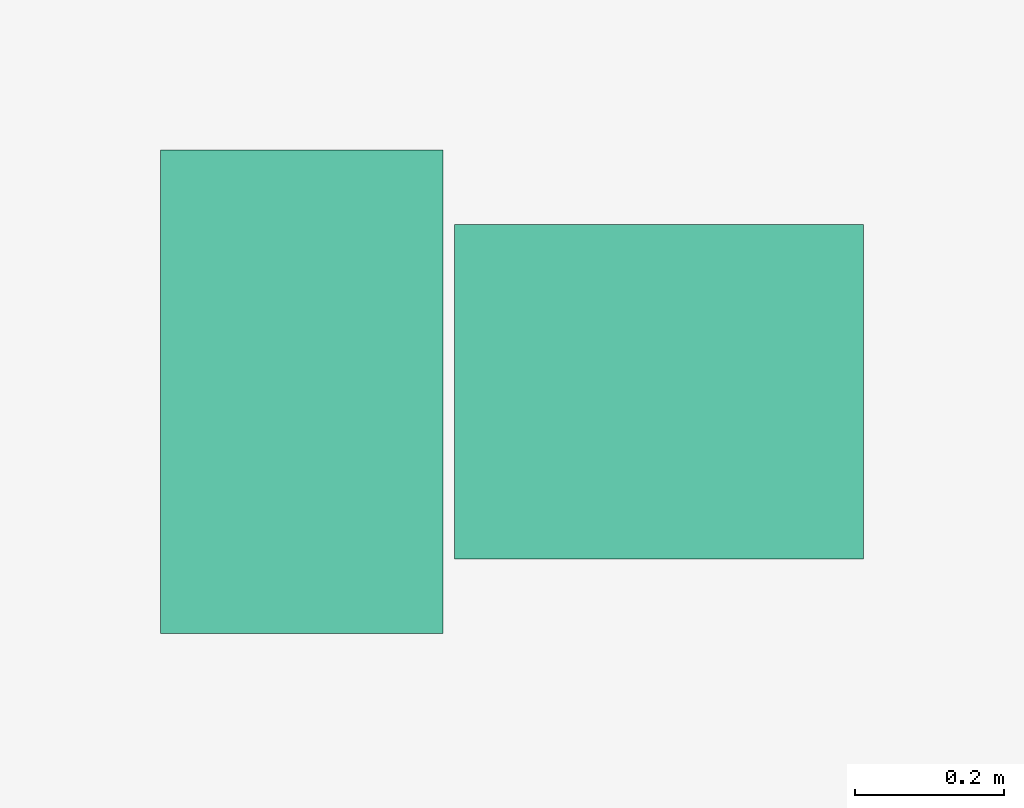
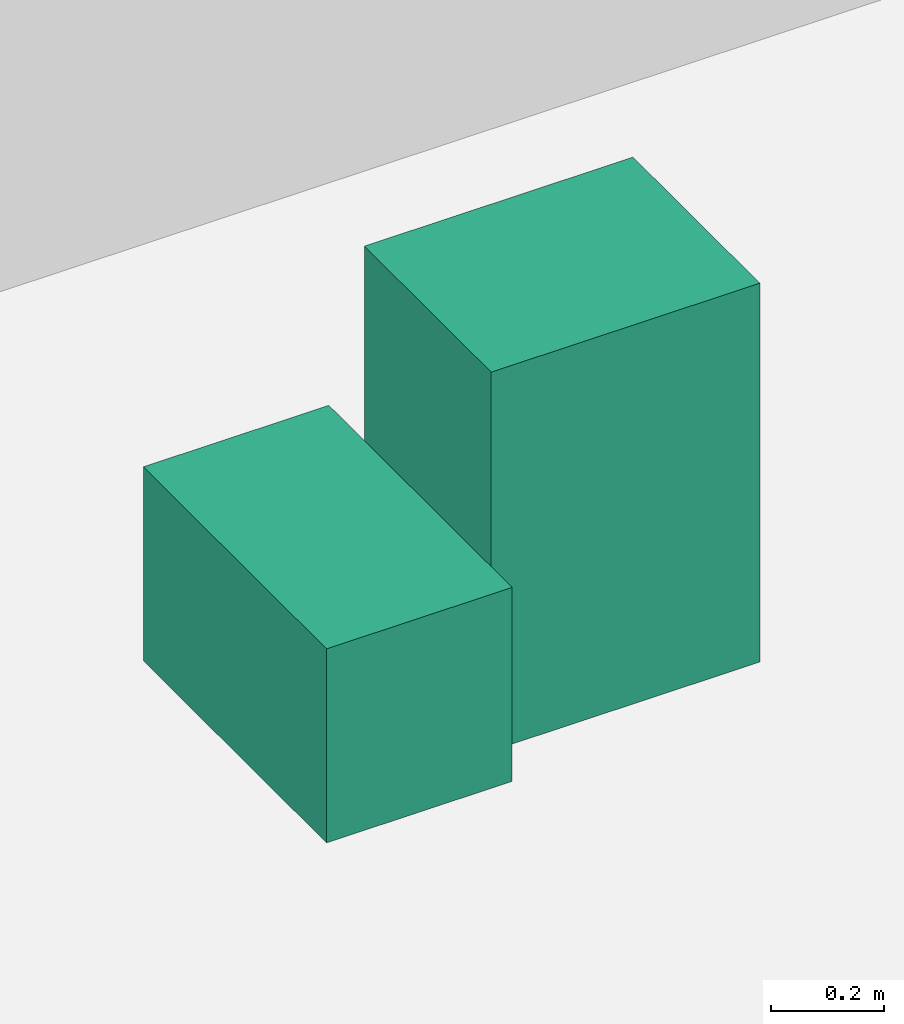
# One storey, part 22 of 22: 2 sanitary terminals.
"""IFC4 building model written with IfcOpenShell, lengths in metres."""

from ifc_helpers import new_model, si_unit, direction, frame, origin, origin_2d, place, context, subcontext, project, spatial, rectangle, extrude, material, type_object, element, save


model = new_model("IFC4")

# Units and contexts
model_context = context("Model", 3, precision=1e-05, world=origin(), true_north=direction((0.0, 1.0)))
body_context = subcontext(model_context, "Body", "Model", "MODEL_VIEW")
ifc_project = project(units=[si_unit("LENGTHUNIT", "METRE"), si_unit("AREAUNIT", "SQUARE_METRE"), si_unit("VOLUMEUNIT", "CUBIC_METRE"), si_unit("PLANEANGLEUNIT", "RADIAN"), si_unit("MASSUNIT", "GRAM", prefix="KILO")], contexts=[model_context])

# Site, building, storey
site_placement = place(None, origin())
site = spatial("IfcSite", under=ifc_project, at=site_placement, CompositionType="ELEMENT")
building_placement = place(site_placement, origin())
building = spatial("IfcBuilding", under=site, at=building_placement, Name="Veldorina Hangang Commons", CompositionType="ELEMENT")
storey_placement = place(building_placement, frame((0.0, 0.0, 14.800048828125)))
storey = spatial("IfcBuildingStorey", under=building, at=storey_placement, Name="L03", CompositionType="ELEMENT", Elevation=14.800048828125)

# Sanitary terminals
ifc_material = material(Name="Vitreous China Glazed White", Category="ceramic")
sanitary_terminal_type_1 = type_object("IfcSanitaryTerminalType", Name="SAN-BSN-1", PredefinedType="WASHHANDBASIN", material=ifc_material)
sanitary_terminal_1_placement = place(storey_placement, frame((23.0400390625, 29.909912109375, 0.0), z_axis=(0.0, 0.0, 1.0), x_axis=(1.0, 0.0, 0.0)))
element("IfcSanitaryTerminal", 1, at=sanitary_terminal_1_placement, inside=storey, type_object=sanitary_terminal_type_1, Name="L03 Accessible Restroom WC wash hand basin", PredefinedType="WASHHANDBASIN", context=body_context, shape_type="SweptSolid", body=[
    extrude(rectangle(XDim=0.550048828125, YDim=0.449951171875, at=origin_2d()), origin(), (0.0, 0.0, 1.0), 0.820068359375),
])
sanitary_terminal_type_2 = type_object("IfcSanitaryTerminalType", Name="SAN-WC-1", PredefinedType="TOILETPAN", material=ifc_material)
sanitary_terminal_2_placement = place(storey_placement, frame((22.56005859375, 29.909912109375, 0.0), z_axis=(0.0, 0.0, 1.0), x_axis=(1.0, 0.0, 0.0)))
element("IfcSanitaryTerminal", 2, at=sanitary_terminal_2_placement, inside=storey, type_object=sanitary_terminal_type_2, Name="L03 Accessible Restroom WC water closet", PredefinedType="TOILETPAN", context=body_context, shape_type="SweptSolid", body=[
    extrude(rectangle(XDim=0.3798828125, YDim=0.64990234375, at=origin_2d()), origin(), (0.0, 0.0, 1.0), 0.419921875),
])

save(model, "model.ifc")
